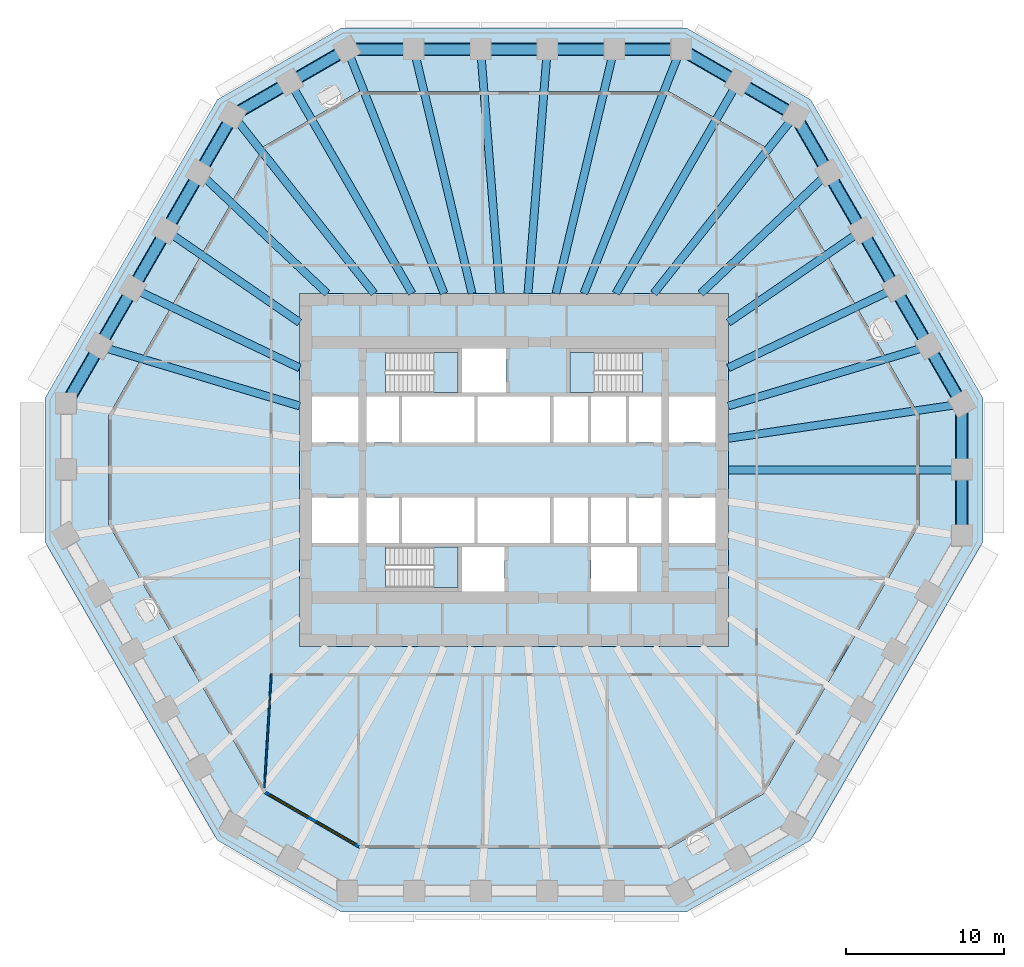
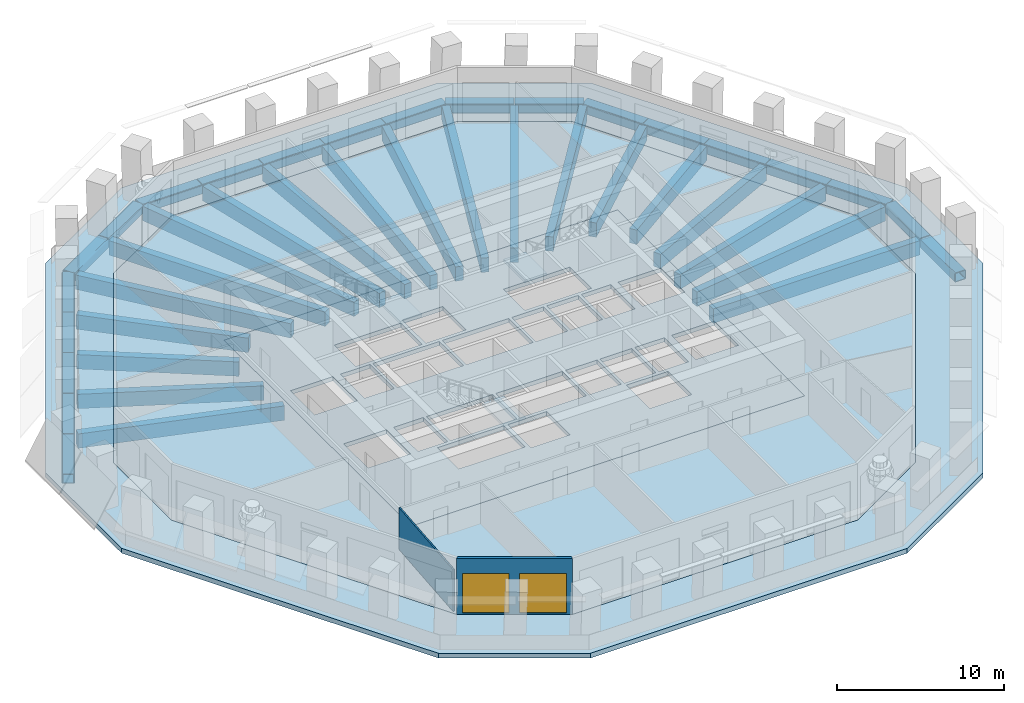
# One storey, part 2 of 12: 41 beams, 6 slabs, 2 walls, 2 windows, 2 openings, 3 elements without a shape of their own.
"""IFC4 building model written with IfcOpenShell, lengths in metres."""

from ifc_helpers import new_model, si_unit, direction, frame, frame_2d, origin, origin_2d, place, context, subcontext, project, spatial, polyline, rectangle, hollow_rectangle, outline, extrude, material, layer, layer_set, material_profile, profile_set, type_object, element, fill, aggregate, save


model = new_model("IFC4")

# Units and contexts
model_context = context("Model", 3, precision=1e-05, world=origin(), true_north=direction((0.0, 1.0)))
body_context = subcontext(model_context, "Body", "Model", "MODEL_VIEW")
ifc_project = project(units=[si_unit("LENGTHUNIT", "METRE"), si_unit("AREAUNIT", "SQUARE_METRE"), si_unit("VOLUMEUNIT", "CUBIC_METRE"), si_unit("PLANEANGLEUNIT", "RADIAN"), si_unit("MASSUNIT", "GRAM", prefix="KILO")], contexts=[model_context])

# Site, building, storey
site_placement = place(None, origin())
site = spatial("IfcSite", under=ifc_project, at=site_placement, CompositionType="ELEMENT")
building_placement = place(site_placement, origin())
building = spatial("IfcBuilding", under=site, at=building_placement, Name="Frailejon Research Tower", CompositionType="ELEMENT")
storey_placement = place(building_placement, frame((0.0, 0.0, 80.800048828125)))
storey = spatial("IfcBuildingStorey", under=building, at=storey_placement, Name="L17", CompositionType="ELEMENT", Elevation=80.800048828125)

# Beams
ifc_material_1 = material(Name="Concrete C60/75", Category="concrete")
ifc_material_profile_1 = material_profile(ifc_material_1, rectangle(XDim=0.5, YDim=1.050048828125, at=origin_2d()), Name="Girder 500x1050")
ifc_profile_set_1 = profile_set([ifc_material_profile_1], Name="Concrete C60/75")
beam_type_1 = type_object("IfcBeamType", Name="Girder 500x1050", PredefinedType="BEAM", material=ifc_profile_set_1)
beam_1_placement = place(storey_placement, frame((27.8876953125, 0.0, -0.824951171875), z_axis=(-1.0, 0.0, 0.0), x_axis=(0.0, -1.0, 0.0)))
element("IfcBeam", 1, at=beam_1_placement, inside=storey, type_object=beam_type_1, Name="Girder 500x1050", PredefinedType="BEAM", context=body_context, shape_type="SweptSolid", body=[
    extrude(rectangle(XDim=0.5, YDim=1.050048828125, at=origin_2d()), origin(), (0.0, 0.0, 1.0), 14.28759765625),
])
beam_2_placement = place(storey_placement, frame((27.843017578125, 4.103515625, -0.824951171875), z_axis=(-0.989313352989, -0.1458049711, 0.0), x_axis=(0.1458049711, -0.989313352989, 0.0)))
element("IfcBeam", 2, at=beam_2_placement, inside=storey, type_object=beam_type_1, Name="Girder 500x1050", PredefinedType="BEAM", context=body_context, shape_type="SweptSolid", body=[
    extrude(rectangle(XDim=0.5, YDim=1.050048828125, at=origin_2d()), origin(), (0.0, 0.0, 1.0), 14.396728515625),
])
beam_3_placement = place(storey_placement, frame((25.775634765625, 7.697021484375, -0.824951171875), z_axis=(-0.958186703473, -0.286143742352, 0.0), x_axis=(0.286143742352, -0.958186703473, 0.0)))
element("IfcBeam", 3, at=beam_3_placement, inside=storey, type_object=beam_type_1, Name="Girder 500x1050", PredefinedType="BEAM", context=body_context, shape_type="SweptSolid", body=[
    extrude(rectangle(XDim=0.5, YDim=1.050048828125, at=origin_2d()), origin(), (0.0, 0.0, 1.0), 12.706787109375),
])
beam_4_placement = place(storey_placement, frame((23.705078125, 11.290771484375, -0.824951171875), z_axis=(-0.902822615457, -0.430013168425, 0.0), x_axis=(0.430013168425, -0.902822615457, 0.0)))
element("IfcBeam", 4, at=beam_4_placement, inside=storey, type_object=beam_type_1, Name="Girder 500x1050", PredefinedType="BEAM", context=body_context, shape_type="SweptSolid", body=[
    extrude(rectangle(XDim=0.5, YDim=1.050048828125, at=origin_2d()), origin(), (0.0, 0.0, 1.0), 11.192626953125),
])
beam_5_placement = place(storey_placement, frame((21.630615234375, 14.8837890625, -0.824951171875), z_axis=(-0.8238072803, -0.566869971797, 0.0), x_axis=(0.566869971797, -0.8238072803, 0.0)))
element("IfcBeam", 5, at=beam_5_placement, inside=storey, type_object=beam_type_1, Name="Girder 500x1050", PredefinedType="BEAM", context=body_context, shape_type="SweptSolid", body=[
    extrude(rectangle(XDim=0.5, YDim=1.050048828125, at=origin_2d()), origin(), (0.0, 0.0, 1.0), 9.748046875),
])
beam_6_placement = place(storey_placement, frame((19.5537109375, 18.47412109375, -0.824951171875), z_axis=(-0.726886575183, -0.686757531316, 0.0), x_axis=(0.686757531316, -0.726886575183, 0.0)))
element("IfcBeam", 6, at=beam_6_placement, inside=storey, type_object=beam_type_1, Name="Girder 500x1050", PredefinedType="BEAM", context=body_context, shape_type="SweptSolid", body=[
    extrude(rectangle(XDim=0.5, YDim=1.050048828125, at=origin_2d()), origin(), (0.0, 0.0, 1.0), 10.592041015625),
])
beam_7_placement = place(storey_placement, frame((17.50244140625, 22.09521484375, -0.824951171875), z_axis=(-0.620932815823, -0.783863788061, 0.0), x_axis=(0.783863788061, -0.620932815823, 0.0)))
element("IfcBeam", 7, at=beam_7_placement, inside=storey, type_object=beam_type_1, Name="Girder 500x1050", PredefinedType="BEAM", context=body_context, shape_type="SweptSolid", body=[
    extrude(rectangle(XDim=0.5, YDim=1.050048828125, at=origin_2d()), origin(), (0.0, 0.0, 1.0), 13.8994140625),
])
beam_8_placement = place(storey_placement, frame((13.94384765625, 24.151611328125, -0.824951171875), z_axis=(-0.499994713456, -0.86602845595, 0.0), x_axis=(0.86602845595, -0.499994713456, 0.0)))
element("IfcBeam", 8, at=beam_8_placement, inside=storey, type_object=beam_type_1, Name="Girder 500x1050", PredefinedType="BEAM", context=body_context, shape_type="SweptSolid", body=[
    extrude(rectangle(XDim=0.5, YDim=1.050048828125, at=origin_2d()), origin(), (0.0, 0.0, 1.0), 14.955322265625),
])
beam_9_placement = place(storey_placement, frame((10.36767578125, 26.16455078125, -0.824951171875), z_axis=(-0.368381434669, -0.929674738062, 0.0), x_axis=(0.929674738062, -0.368381434669, 0.0)))
element("IfcBeam", 9, at=beam_9_placement, inside=storey, type_object=beam_type_1, Name="Girder 500x1050", PredefinedType="BEAM", context=body_context, shape_type="SweptSolid", body=[
    extrude(rectangle(XDim=0.5, YDim=1.050048828125, at=origin_2d()), origin(), (0.0, 0.0, 1.0), 16.0966796875),
])
beam_10_placement = place(storey_placement, frame((6.22216796875, 26.1708984375, -0.824951171875), z_axis=(-0.231301640786, -0.972882084823, 0.0), x_axis=(0.972882084823, -0.231301640786, 0.0)))
element("IfcBeam", 10, at=beam_10_placement, inside=storey, type_object=beam_type_1, Name="Girder 500x1050", PredefinedType="BEAM", context=body_context, shape_type="SweptSolid", body=[
    extrude(rectangle(XDim=0.5, YDim=1.050048828125, at=origin_2d()), origin(), (0.0, 0.0, 1.0), 15.38818359375),
])
for number, where, z_axis, x_axis, name in (
    (11, (2.074462890625, 26.174560546875, -0.824951171875), (-0.07900426933, -0.996874277644, 0.0), (0.996874277644, -0.07900426933, 0.0), "Girder 500x1050"),
    (12, (-2.074462890625, 26.174560546875, -0.824951171875), (0.07900426933, -0.996874277644, 0.0), (0.996874277644, 0.07900426933, 0.0), "Girder 500x1050"),
):
    element("IfcBeam", number, at=place(storey_placement, frame(where, z_axis=z_axis, x_axis=x_axis)), inside=storey, type_object=beam_type_1, Name=name, PredefinedType="BEAM", context=body_context, shape_type="SweptSolid", body=[
        extrude(rectangle(XDim=0.5, YDim=1.050048828125, at=origin_2d()), origin(), (0.0, 0.0, 1.0), 15.021484375),
    ])
beam_11_placement = place(storey_placement, frame((-6.22216796875, 26.1708984375, -0.824951171875), z_axis=(0.231301640786, -0.972882084823, 0.0), x_axis=(0.972882084823, 0.231301640786, 0.0)))
element("IfcBeam", 13, at=beam_11_placement, inside=storey, type_object=beam_type_1, Name="Girder 500x1050", PredefinedType="BEAM", context=body_context, shape_type="SweptSolid", body=[
    extrude(rectangle(XDim=0.5, YDim=1.050048828125, at=origin_2d()), origin(), (0.0, 0.0, 1.0), 15.38818359375),
])
beam_12_placement = place(storey_placement, frame((-10.3837890625, 26.205078125, -0.824951171875), z_axis=(0.368384348618, -0.929673583412, 0.0), x_axis=(0.929673583412, 0.368384348618, 0.0)))
element("IfcBeam", 14, at=beam_12_placement, inside=storey, type_object=beam_type_1, Name="Girder 500x1050", PredefinedType="BEAM", context=body_context, shape_type="SweptSolid", body=[
    extrude(rectangle(XDim=0.5, YDim=1.050048828125, at=origin_2d()), origin(), (0.0, 0.0, 1.0), 16.14013671875),
])
beam_13_placement = place(storey_placement, frame((-13.94384765625, 24.151611328125, -0.824951171875), z_axis=(0.499994713456, -0.86602845595, 0.0), x_axis=(0.86602845595, 0.499994713456, 0.0)))
element("IfcBeam", 15, at=beam_13_placement, inside=storey, type_object=beam_type_1, Name="Girder 500x1050", PredefinedType="BEAM", context=body_context, shape_type="SweptSolid", body=[
    extrude(rectangle(XDim=0.5, YDim=1.050048828125, at=origin_2d()), origin(), (0.0, 0.0, 1.0), 14.955322265625),
])
beam_14_placement = place(storey_placement, frame((-17.47509765625, 22.060791015625, -0.824951171875), z_axis=(0.620929484104, -0.78386642725, 0.0), x_axis=(0.78386642725, 0.620929484104, 0.0)))
element("IfcBeam", 16, at=beam_14_placement, inside=storey, type_object=beam_type_1, Name="Girder 500x1050", PredefinedType="BEAM", context=body_context, shape_type="SweptSolid", body=[
    extrude(rectangle(XDim=0.5, YDim=1.050048828125, at=origin_2d()), origin(), (0.0, 0.0, 1.0), 13.85546875),
])
beam_15_placement = place(storey_placement, frame((-19.5537109375, 18.47412109375, -0.824951171875), z_axis=(0.726886575183, -0.686757531316, 0.0), x_axis=(0.686757531316, 0.726886575183, 0.0)))
element("IfcBeam", 17, at=beam_15_placement, inside=storey, type_object=beam_type_1, Name="Girder 500x1050", PredefinedType="BEAM", context=body_context, shape_type="SweptSolid", body=[
    extrude(rectangle(XDim=0.5, YDim=1.050048828125, at=origin_2d()), origin(), (0.0, 0.0, 1.0), 10.592041015625),
])
beam_16_placement = place(storey_placement, frame((-21.630615234375, 14.8837890625, -0.824951171875), z_axis=(0.8238072803, -0.566869971797, 0.0), x_axis=(0.566869971797, 0.8238072803, 0.0)))
element("IfcBeam", 18, at=beam_16_placement, inside=storey, type_object=beam_type_1, Name="Girder 500x1050", PredefinedType="BEAM", context=body_context, shape_type="SweptSolid", body=[
    extrude(rectangle(XDim=0.5, YDim=1.050048828125, at=origin_2d()), origin(), (0.0, 0.0, 1.0), 9.748046875),
])
beam_17_placement = place(storey_placement, frame((-23.705078125, 11.290771484375, -0.824951171875), z_axis=(0.902822615457, -0.430013168425, 0.0), x_axis=(0.430013168425, 0.902822615457, 0.0)))
element("IfcBeam", 19, at=beam_17_placement, inside=storey, type_object=beam_type_1, Name="Girder 500x1050", PredefinedType="BEAM", context=body_context, shape_type="SweptSolid", body=[
    extrude(rectangle(XDim=0.5, YDim=1.050048828125, at=origin_2d()), origin(), (0.0, 0.0, 1.0), 11.192626953125),
])
beam_18_placement = place(storey_placement, frame((-25.775634765625, 7.697021484375, -0.824951171875), z_axis=(0.958186703473, -0.286143742352, 0.0), x_axis=(0.286143742352, 0.958186703473, 0.0)))
element("IfcBeam", 20, at=beam_18_placement, inside=storey, type_object=beam_type_1, Name="Girder 500x1050", PredefinedType="BEAM", context=body_context, shape_type="SweptSolid", body=[
    extrude(rectangle(XDim=0.5, YDim=1.050048828125, at=origin_2d()), origin(), (0.0, 0.0, 1.0), 12.706787109375),
])
ifc_material_2 = material(Name="Steel S355", Category="steel")
ifc_material_profile_2 = material_profile(ifc_material_2, hollow_rectangle(XDim=0.800048828125, YDim=0.699951171875, WallThickness=0.050048828125, InnerFilletRadius=0.050048828125, OuterFilletRadius=0.10009765625, at=origin_2d()), Name="Ring chord")
ifc_profile_set_2 = profile_set([ifc_material_profile_2], Name="Steel S355")
beam_type_2 = type_object("IfcBeamType", Name="Ring chord", PredefinedType="BEAM", material=ifc_profile_set_2)
for number, where, z_axis, x_axis, name in (
    (21, (28.412841796875, -4.16748046875, -0.699951171875), (0.0, 1.0, 0.0), (-1.0, 0.0, 0.0), "Ring chord"),
    (22, (28.412841796875, 0.02001953125, -0.699951171875), (0.0, 1.0, 0.0), (-1.0, 0.0, 0.0), "Ring chord"),
):
    element("IfcBeam", number, at=place(storey_placement, frame(where, z_axis=z_axis, x_axis=x_axis)), inside=storey, type_object=beam_type_2, Name=name, PredefinedType="BEAM", context=body_context, shape_type="SweptSolid", body=[
        extrude(hollow_rectangle(XDim=0.800048828125, YDim=0.699951171875, WallThickness=0.050048828125, InnerFilletRadius=0.050048828125, OuterFilletRadius=0.10009765625, at=origin_2d()), origin(), (0.0, 0.0, 1.0), 4.1474609375),
    ])
for number, where, z_axis, x_axis, name in (
    (23, (28.40283203125, 4.204833984375, -0.699951171875), (-0.499991329354, 0.866030409726, 0.0), (-0.866030409726, -0.499991329354, 0.0), "Ring chord"),
    (24, (26.286865234375, 7.869873046875, -0.699951171875), (-0.499991329354, 0.866030409726, 0.0), (-0.866030409726, -0.499991329354, 0.0), "Ring chord"),
    (25, (24.1708984375, 11.534912109375, -0.699951171875), (-0.499991329354, 0.866030409726, 0.0), (-0.866030409726, -0.499991329354, 0.0), "Ring chord"),
    (26, (22.054931640625, 15.19970703125, -0.699951171875), (-0.499991329354, 0.866030409726, 0.0), (-0.866030409726, -0.499991329354, 0.0), "Ring chord"),
    (27, (19.93896484375, 18.86474609375, -0.699951171875), (-0.499991329354, 0.866030409726, 0.0), (-0.866030409726, -0.499991329354, 0.0), "Ring chord"),
):
    element("IfcBeam", number, at=place(storey_placement, frame(where, z_axis=z_axis, x_axis=x_axis)), inside=storey, type_object=beam_type_2, Name=name, PredefinedType="BEAM", context=body_context, shape_type="SweptSolid", body=[
        extrude(hollow_rectangle(XDim=0.800048828125, YDim=0.699951171875, WallThickness=0.050048828125, InnerFilletRadius=0.050048828125, OuterFilletRadius=0.10009765625, at=origin_2d()), origin(), (0.0, 0.0, 1.0), 4.19189453125),
    ])
for number, where, z_axis, x_axis, name in (
    (28, (17.815673828125, 22.5224609375, -0.699951171875), (-0.866039536849, 0.499975520016, 0.0), (-0.499975520016, -0.866039536849, 0.0), "Ring chord"),
    (29, (14.189208984375, 24.6162109375, -0.699951171875), (-0.866039536849, 0.499975520016, 0.0), (-0.499975520016, -0.866039536849, 0.0), "Ring chord"),
):
    element("IfcBeam", number, at=place(storey_placement, frame(where, z_axis=z_axis, x_axis=x_axis)), inside=storey, type_object=beam_type_2, Name=name, PredefinedType="BEAM", context=body_context, shape_type="SweptSolid", body=[
        extrude(hollow_rectangle(XDim=0.800048828125, YDim=0.699951171875, WallThickness=0.050048828125, InnerFilletRadius=0.050048828125, OuterFilletRadius=0.10009765625, at=origin_2d()), origin(), (0.0, 0.0, 1.0), 4.147705078125),
    ])
for number, where, z_axis, x_axis, name in (
    (30, (10.559814453125, 26.699951171875, -0.699951171875), (-1.0, 0.0, 0.0), (0.0, -1.0, 0.0), "Ring chord"),
    (31, (6.327880859375, 26.699951171875, -0.699951171875), (-1.0, 0.0, 0.0), (0.0, -1.0, 0.0), "Ring chord"),
    (32, (2.095947265625, 26.699951171875, -0.699951171875), (-1.0, 0.0, 0.0), (0.0, -1.0, 0.0), "Ring chord"),
    (33, (-2.135986328125, 26.699951171875, -0.699951171875), (-1.0, 0.0, 0.0), (0.0, -1.0, 0.0), "Ring chord"),
    (34, (-6.367919921875, 26.699951171875, -0.699951171875), (-1.0, 0.0, 0.0), (0.0, -1.0, 0.0), "Ring chord"),
):
    element("IfcBeam", number, at=place(storey_placement, frame(where, z_axis=z_axis, x_axis=x_axis)), inside=storey, type_object=beam_type_2, Name=name, PredefinedType="BEAM", context=body_context, shape_type="SweptSolid", body=[
        extrude(hollow_rectangle(XDim=0.800048828125, YDim=0.699951171875, WallThickness=0.050048828125, InnerFilletRadius=0.050048828125, OuterFilletRadius=0.10009765625, at=origin_2d()), origin(), (0.0, 0.0, 1.0), 4.19189453125),
    ])
for number, where, z_axis, x_axis, name in (
    (35, (-10.59716796875, 26.68994140625, -0.699951171875), (-0.866039536849, -0.499975520016, 0.0), (0.499975520016, -0.866039536849, 0.0), "Ring chord"),
    (36, (-14.2236328125, 24.59619140625, -0.699951171875), (-0.866039536849, -0.499975520016, 0.0), (0.499975520016, -0.866039536849, 0.0), "Ring chord"),
):
    element("IfcBeam", number, at=place(storey_placement, frame(where, z_axis=z_axis, x_axis=x_axis)), inside=storey, type_object=beam_type_2, Name=name, PredefinedType="BEAM", context=body_context, shape_type="SweptSolid", body=[
        extrude(hollow_rectangle(XDim=0.800048828125, YDim=0.699951171875, WallThickness=0.050048828125, InnerFilletRadius=0.050048828125, OuterFilletRadius=0.10009765625, at=origin_2d()), origin(), (0.0, 0.0, 1.0), 4.147705078125),
    ])
for number, where, z_axis, x_axis, name in (
    (37, (-17.843017578125, 22.4951171875, -0.699951171875), (-0.499991329354, -0.866030409726, 0.0), (0.866030409726, -0.499991329354, 0.0), "Ring chord"),
    (38, (-19.958984375, 18.830078125, -0.699951171875), (-0.499991329354, -0.866030409726, 0.0), (0.866030409726, -0.499991329354, 0.0), "Ring chord"),
    (39, (-22.074951171875, 15.165283203125, -0.699951171875), (-0.499991329354, -0.866030409726, 0.0), (0.866030409726, -0.499991329354, 0.0), "Ring chord"),
    (40, (-24.19091796875, 11.500244140625, -0.699951171875), (-0.499991329354, -0.866030409726, 0.0), (0.866030409726, -0.499991329354, 0.0), "Ring chord"),
    (41, (-26.306884765625, 7.835205078125, -0.699951171875), (-0.499991329354, -0.866030409726, 0.0), (0.866030409726, -0.499991329354, 0.0), "Ring chord"),
):
    element("IfcBeam", number, at=place(storey_placement, frame(where, z_axis=z_axis, x_axis=x_axis)), inside=storey, type_object=beam_type_2, Name=name, PredefinedType="BEAM", context=body_context, shape_type="SweptSolid", body=[
        extrude(hollow_rectangle(XDim=0.800048828125, YDim=0.699951171875, WallThickness=0.050048828125, InnerFilletRadius=0.050048828125, OuterFilletRadius=0.10009765625, at=origin_2d()), origin(), (0.0, 0.0, 1.0), 4.19189453125),
    ])

# Slabs
ifc_material_3 = material(Name="Concrete C70/85", Category="concrete")
ifc_layer_1 = layer(ifc_material_3, 0.300048828125)
ifc_layer_set_1 = layer_set([ifc_layer_1], Name="Core floor slab 300 C70/85")
slab_type_1 = type_object("IfcSlabType", Name="Core floor slab 300 C70/85", PredefinedType="FLOOR", material=ifc_layer_set_1)
slab_1_placement = place(storey_placement, frame((0.0, 0.0, -0.300048828125)))
element("IfcSlab", 42, at=slab_1_placement, inside=storey, type_object=slab_type_1, Name="Core floor slab", PredefinedType="FLOOR", context=body_context, shape_type="SweptSolid", body=[
    extrude(outline(polyline([(13.60009765625, -11.199951171875), (13.60009765625, 11.199951171875), (-13.60009765625, 11.199951171875), (-13.60009765625, -11.199951171875), (13.60009765625, -11.199951171875)]), holes=[polyline([(-9.85009765625, 1.75), (-9.85009765625, 4.64990234375), (-12.800048828125, 4.64990234375), (-12.800048828125, 1.75), (-9.85009765625, 1.75)]), polyline([(-7.300048828125, 1.75), (-7.300048828125, 4.64990234375), (-9.35009765625, 4.64990234375), (-9.35009765625, 1.75), (-7.300048828125, 1.75)]), polyline([(-2.5, 1.75), (-2.5, 4.64990234375), (-7.10009765625, 4.64990234375), (-7.10009765625, 1.75), (-2.5, 1.75)]), polyline([(2.300048828125, 1.75), (2.300048828125, 4.64990234375), (-2.300048828125, 4.64990234375), (-2.300048828125, 1.75), (2.300048828125, 1.75)]), polyline([(4.699951171875, 1.75), (4.699951171875, 4.64990234375), (2.5, 4.64990234375), (2.5, 1.75), (4.699951171875, 1.75)]), polyline([(7.10009765625, 1.75), (7.10009765625, 4.64990234375), (4.89990234375, 4.64990234375), (4.89990234375, 1.75), (7.10009765625, 1.75)]), polyline([(9.35009765625, 1.75), (9.35009765625, 4.64990234375), (7.300048828125, 4.64990234375), (7.300048828125, 1.75), (9.35009765625, 1.75)]), polyline([(12.800048828125, 1.75), (12.800048828125, 4.64990234375), (9.85009765625, 4.64990234375), (9.85009765625, 1.75), (12.800048828125, 1.75)]), polyline([(-9.85009765625, -4.64990234375), (-9.85009765625, -1.75), (-12.800048828125, -1.75), (-12.800048828125, -4.64990234375), (-9.85009765625, -4.64990234375)]), polyline([(-7.300048828125, -4.64990234375), (-7.300048828125, -1.75), (-9.35009765625, -1.75), (-9.35009765625, -4.64990234375), (-7.300048828125, -4.64990234375)]), polyline([(-2.5, -4.64990234375), (-2.5, -1.75), (-7.10009765625, -1.75), (-7.10009765625, -4.64990234375), (-2.5, -4.64990234375)]), polyline([(2.300048828125, -4.64990234375), (2.300048828125, -1.75), (-2.300048828125, -1.75), (-2.300048828125, -4.64990234375), (2.300048828125, -4.64990234375)]), polyline([(4.699951171875, -4.64990234375), (4.699951171875, -1.75), (2.5, -1.75), (2.5, -4.64990234375), (4.699951171875, -4.64990234375)]), polyline([(7.10009765625, -4.64990234375), (7.10009765625, -1.75), (4.89990234375, -1.75), (4.89990234375, -4.64990234375), (7.10009765625, -4.64990234375)]), polyline([(9.35009765625, -4.64990234375), (9.35009765625, -1.75), (7.300048828125, -1.75), (7.300048828125, -4.64990234375), (9.35009765625, -4.64990234375)]), polyline([(12.800048828125, -4.64990234375), (12.800048828125, -1.75), (9.85009765625, -1.75), (9.85009765625, -4.64990234375), (12.800048828125, -4.64990234375)]), polyline([(-8.14697265625, 4.89990234375), (-3.550048828125, 4.89990234375), (-3.550048828125, 7.449951171875), (-8.14697265625, 7.449951171875), (-8.14697265625, 4.89990234375)]), polyline([(-8.14697265625, -7.449951171875), (-3.550048828125, -7.449951171875), (-3.550048828125, -4.89990234375), (-8.14697265625, -4.89990234375), (-8.14697265625, -7.449951171875)]), polyline([(8.14697265625, 7.449951171875), (3.550048828125, 7.449951171875), (3.550048828125, 4.89990234375), (8.14697265625, 4.89990234375), (8.14697265625, 7.449951171875)]), polyline([(-0.60009765625, -7.699951171875), (-0.60009765625, -4.89990234375), (-3.300048828125, -4.89990234375), (-3.300048828125, -7.699951171875), (-0.60009765625, -7.699951171875)]), polyline([(7.800048828125, -7.699951171875), (7.800048828125, -4.89990234375), (4.89990234375, -4.89990234375), (4.89990234375, -7.699951171875), (7.800048828125, -7.699951171875)]), polyline([(-0.5, 4.89990234375), (-0.5, 7.699951171875), (-3.300048828125, 7.699951171875), (-3.300048828125, 4.89990234375), (-0.5, 4.89990234375)])]), origin(), (0.0, 0.0, 1.0), 0.300048828125),
])
ifc_material_4 = material(Name="Concrete C40/50", Category="concrete")
ifc_layer_2 = layer(ifc_material_4, 0.35009765625)
ifc_layer_set_2 = layer_set([ifc_layer_2], Name="Loggia slab 350")
slab_type_2 = type_object("IfcSlabType", Name="Loggia slab 350", PredefinedType="USERDEFINED", material=ifc_layer_set_2)
slab_2_placement = place(storey_placement, frame((0.0, 0.0, -0.35009765625)))
element("IfcSlab", 43, at=slab_2_placement, inside=storey, type_object=slab_type_2, Name="Loggia slab L17", ObjectType="LOGGIA", PredefinedType="USERDEFINED", context=body_context, shape_type="SweptSolid", body=[
    extrude(outline(polyline([(18.8212890625, -23.500732421875), (10.941650390625, -28.050048828125), (-10.941650390625, -28.050048828125), (-18.8212890625, -23.500732421875), (-29.7626953125, -4.54931640625), (-29.7626953125, 4.54931640625), (-18.8212890625, 23.500732421875), (-10.941650390625, 28.050048828125), (10.941650390625, 28.050048828125), (18.8212890625, 23.500732421875), (29.7626953125, 4.54931640625), (29.7626953125, -4.54931640625), (18.8212890625, -23.500732421875)]), holes=[polyline([(25.712890625, 3.464111328125), (15.8564453125, 20.535888671875), (9.8564453125, 24.0), (-9.8564453125, 24.0), (-15.8564453125, 20.535888671875), (-25.712890625, 3.464111328125), (-25.712890625, -3.464111328125), (-15.8564453125, -20.535888671875), (-9.8564453125, -24.0), (9.8564453125, -24.0), (15.8564453125, -20.535888671875), (25.712890625, -3.464111328125), (25.712890625, 3.464111328125)])]), origin(), (0.0, 0.0, 1.0), 0.35009765625),
])
ifc_material_5 = material(Name="Concrete C40/50", Category="concrete")
ifc_layer_3 = layer(ifc_material_5, 0.300048828125)
ifc_layer_set_3 = layer_set([ifc_layer_3], Name="Slab typical 300")
slab_type_3 = type_object("IfcSlabType", Name="Slab typical 300", PredefinedType="FLOOR", material=ifc_layer_set_3)
slab_3_placement = place(storey_placement, frame((0.0, 0.0, -0.300048828125)))
element("IfcSlab", 44, at=slab_3_placement, inside=storey, type_object=slab_type_3, Name="Floor slab L17", PredefinedType="FLOOR", context=body_context, shape_type="SweptSolid", body=[
    extrude(outline(polyline([(25.712890625, -3.464111328125), (25.712890625, 3.464111328125), (15.8564453125, 20.535888671875), (9.8564453125, 24.0), (-9.8564453125, 24.0), (-15.8564453125, 20.535888671875), (-25.712890625, 3.464111328125), (-25.712890625, -3.464111328125), (-15.8564453125, -20.535888671875), (-9.8564453125, -24.0), (9.8564453125, -24.0), (15.8564453125, -20.535888671875), (25.712890625, -3.464111328125)]), holes=[polyline([(13.60009765625, -11.199951171875), (-13.60009765625, -11.199951171875), (-13.60009765625, 11.199951171875), (13.60009765625, 11.199951171875), (13.60009765625, -11.199951171875)])]), origin(), (0.0, 0.0, 1.0), 0.300048828125),
])

# Stair, slab
ifc_material_6 = material(Name="Concrete C50/60", Category="concrete")
stair_type = type_object("IfcStairType", Name="Exit stair 24 risers", PredefinedType="HALF_TURN_STAIR", material=ifc_material_6)
stair_1_placement = place(storey_placement, origin())
stair_1 = element("IfcStair", 45, at=stair_1_placement, inside=storey, type_object=stair_type, Name="L17 Exit stair ST1", PredefinedType="HALF_TURN_STAIR")
ifc_material_7 = material(Name="Concrete C50/60", Category="concrete")
ifc_layer_4 = layer(ifc_material_7, 0.199951171875)
ifc_layer_set_4 = layer_set([ifc_layer_4], Name="Stair landing slab 200")
slab_type_4 = type_object("IfcSlabType", Name="Stair landing slab 200", PredefinedType="LANDING", material=ifc_layer_set_4)
slab_4_placement = place(storey_placement, frame((0.0, 0.0, 2.0)))
slab_4 = element("IfcSlab", 46, at=slab_4_placement, type_object=slab_type_4, Name="ST1 landing 1", PredefinedType="LANDING", context=body_context, shape_type="SweptSolid", body=[
    extrude(outline(polyline([(-5.070068359375, 4.89990234375), (-3.550048828125, 4.89990234375), (-3.550048828125, 7.449951171875), (-5.070068359375, 7.449951171875), (-5.070068359375, 4.89990234375)])), origin(), (0.0, 0.0, 1.0), 0.199951171875),
])
aggregate(stair_1, [slab_4])

stair_2_placement = place(storey_placement, origin())
stair_2 = element("IfcStair", 47, at=stair_2_placement, inside=storey, type_object=stair_type, Name="L17 Exit stair ST2", PredefinedType="HALF_TURN_STAIR")
slab_5_placement = place(storey_placement, frame((0.0, 0.0, 2.0)))
slab_5 = element("IfcSlab", 48, at=slab_5_placement, type_object=slab_type_4, Name="ST2 landing 1", PredefinedType="LANDING", context=body_context, shape_type="SweptSolid", body=[
    extrude(outline(polyline([(-5.070068359375, -7.449951171875), (-3.550048828125, -7.449951171875), (-3.550048828125, -4.89990234375), (-5.070068359375, -4.89990234375), (-5.070068359375, -7.449951171875)])), origin(), (0.0, 0.0, 1.0), 0.199951171875),
])
aggregate(stair_2, [slab_5])

stair_3_placement = place(storey_placement, origin())
stair_3 = element("IfcStair", 49, at=stair_3_placement, inside=storey, type_object=stair_type, Name="L17 Exit stair ST3", PredefinedType="HALF_TURN_STAIR")
slab_6_placement = place(storey_placement, frame((0.0, 0.0, 2.0)))
slab_6 = element("IfcSlab", 50, at=slab_6_placement, type_object=slab_type_4, Name="ST3 landing 1", PredefinedType="LANDING", context=body_context, shape_type="SweptSolid", body=[
    extrude(outline(polyline([(5.070068359375, 7.449951171875), (3.550048828125, 7.449951171875), (3.550048828125, 4.89990234375), (5.070068359375, 4.89990234375), (5.070068359375, 7.449951171875)])), origin(), (0.0, 0.0, 1.0), 0.199951171875),
])
aggregate(stair_3, [slab_6])

# Wall
ifc_material_8 = material(Name="Gypsum board and masonry partition", Category="masonry")
ifc_layer_5 = layer(ifc_material_8, 0.10009765625)
ifc_layer_set_5 = layer_set([ifc_layer_5], Name="Partition, gypsum on steel studs 100")
wall_type_1 = type_object("IfcWallType", Name="Partition, gypsum on steel studs 100", PredefinedType="PARTITIONING", material=ifc_layer_set_5)
wall_1_placement = place(storey_placement, frame((-15.83447265625, -20.173828125, 0.0), z_axis=(0.0, 0.0, 1.0), x_axis=(0.060446339426, 0.998171448224, 0.0)))
element("IfcWall", 51, at=wall_1_placement, inside=storey, type_object=wall_type_1, Name="T:IW:L17:016", PredefinedType="PARTITIONING", context=body_context, shape_type="SweptSolid", body=[
    extrude(rectangle(XDim=7.261962890625, YDim=0.10009765625, at=frame_2d((3.630859375, 0.0))), origin(), (0.0, 0.0, 1.0), 3.050048828125),
])

# Wall, openings, windows
ifc_material_9 = material(Name="Concrete C40/50 precast window wall panel", Category="concrete")
ifc_layer_6 = layer(ifc_material_9, 0.199951171875)
ifc_layer_set_6 = layer_set([ifc_layer_6], Name="Window wall 200")
wall_type_2 = type_object("IfcWallType", Name="Window wall 200", PredefinedType="SOLIDWALL", material=ifc_layer_set_6)
wall_2_placement = place(storey_placement, frame((-15.783203125, -20.462646484375, 0.0), z_axis=(0.0, 0.0, 1.0), x_axis=(0.866029458321, -0.49999297727, 0.0)))
wall_2 = element("IfcWall", 52, at=wall_2_placement, inside=storey, type_object=wall_type_2, Name="Exterior wall L17", PredefinedType="SOLIDWALL", context=body_context, shape_type="SweptSolid", body=[
    extrude(outline(polyline([(-0.02685546875, -0.10009765625), (1.1279296875, -0.10009765625), (2.282470703125, -0.10009765625), (3.437255859375, -0.10009765625), (4.592041015625, -0.10009765625), (5.74658203125, -0.10009765625), (6.9013671875, -0.10009765625), (6.84765625, 0.10009765625), (5.7109375, 0.10009765625), (4.573974609375, 0.10009765625), (3.437255859375, 0.10009765625), (2.300537109375, 0.10009765625), (1.16357421875, 0.10009765625), (0.02685546875, 0.10009765625), (-0.02685546875, -0.10009765625)])), origin(), (0.0, 0.0, 1.0), 4.099853515625),
])
opening_1_placement = place(wall_2_placement, frame((0.318603515625, 0.0, 0.10009765625)))
opening_1 = element("IfcOpeningElement", 53, at=opening_1_placement, cuts=wall_2, Name="Opening W3", PredefinedType="OPENING", context=body_context, shape_type="SweptSolid", body=[
    extrude(rectangle(XDim=2.800048828125, YDim=2.89990234375, at=frame_2d((1.39990234375, 1.449951171875))), frame((0.0, 0.10986328125, 0.0), z_axis=(0.0, -1.0, 0.0), x_axis=(1.0, 0.0, 0.0)), (0.0, 0.0, 1.0), 0.219970703125),
])
opening_2_placement = place(wall_2_placement, frame((3.756103515625, 0.0, 0.10009765625)))
opening_2 = element("IfcOpeningElement", 54, at=opening_2_placement, cuts=wall_2, Name="Opening W3", PredefinedType="OPENING", context=body_context, shape_type="SweptSolid", body=[
    extrude(rectangle(XDim=2.800048828125, YDim=2.89990234375, at=frame_2d((1.39990234375, 1.449951171875))), frame((0.0, 0.10986328125, 0.0), z_axis=(0.0, -1.0, 0.0), x_axis=(1.0, 0.0, 0.0)), (0.0, 0.0, 1.0), 0.219970703125),
])
ifc_material_10 = material(Name="Aluminium framed double glazing", Category="aluminium")
window_type = type_object("IfcWindowType", Name="Window 2800x2900", PartitioningType="SINGLE_PANEL", PredefinedType="WINDOW", material=ifc_material_10)
window_1_placement = place(opening_1_placement, origin())
window_1 = element("IfcWindow", 55, at=window_1_placement, inside=storey, type_object=window_type, Name="Window L17", OverallHeight=2.89990234375, OverallWidth=2.800048828125, PartitioningType="SINGLE_PANEL", PredefinedType="WINDOW", context=body_context, shape_type="SweptSolid", body=[
    extrude(rectangle(XDim=2.800048828125, YDim=2.89990234375, at=frame_2d((1.39990234375, 1.449951171875))), frame((0.0, 0.030029296875, 0.0), z_axis=(0.0, -1.0, 0.0), x_axis=(1.0, 0.0, 0.0)), (0.0, 0.0, 1.0), 0.06005859375),
])
fill(opening_1, window_1)
window_2_placement = place(opening_2_placement, origin())
window_2 = element("IfcWindow", 56, at=window_2_placement, inside=storey, type_object=window_type, Name="Window L17", OverallHeight=2.89990234375, OverallWidth=2.800048828125, PartitioningType="SINGLE_PANEL", PredefinedType="WINDOW", context=body_context, shape_type="SweptSolid", body=[
    extrude(rectangle(XDim=2.800048828125, YDim=2.89990234375, at=frame_2d((1.39990234375, 1.449951171875))), frame((0.0, 0.030029296875, 0.0), z_axis=(0.0, -1.0, 0.0), x_axis=(1.0, 0.0, 0.0)), (0.0, 0.0, 1.0), 0.06005859375),
])
fill(opening_2, window_2)

save(model, "model.ifc")
